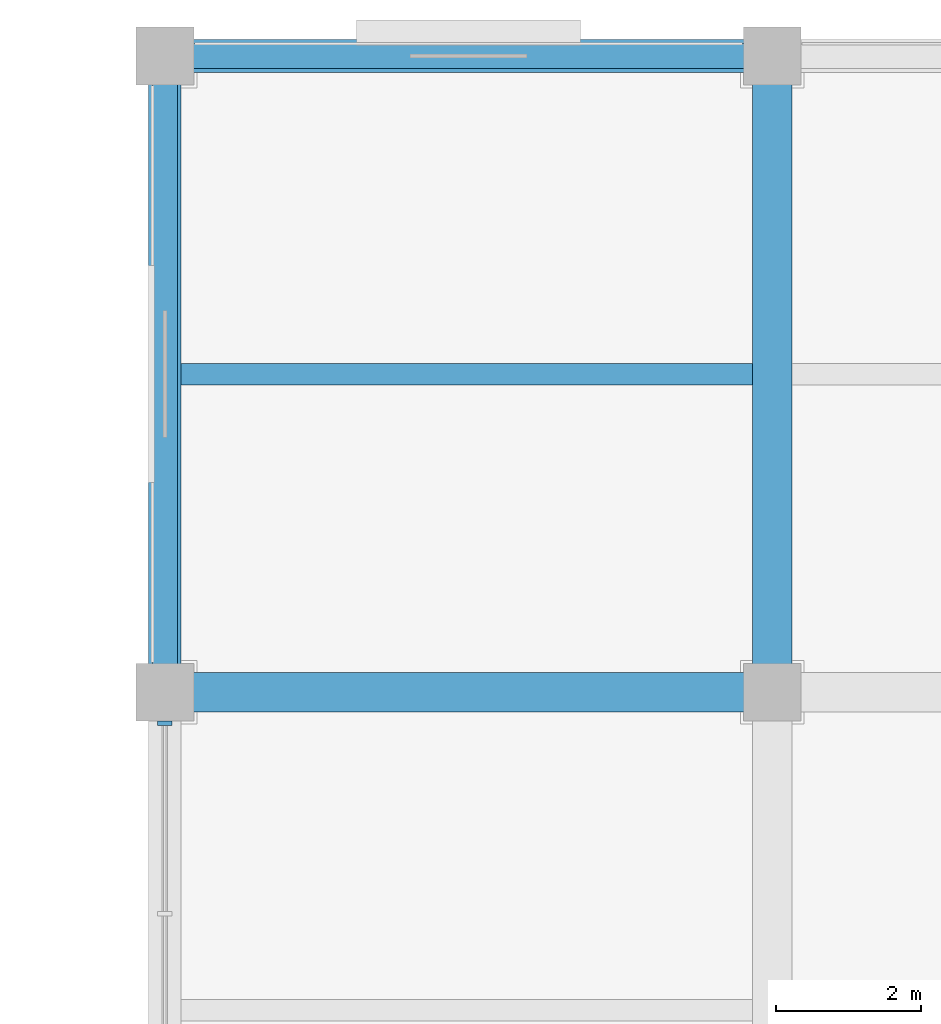
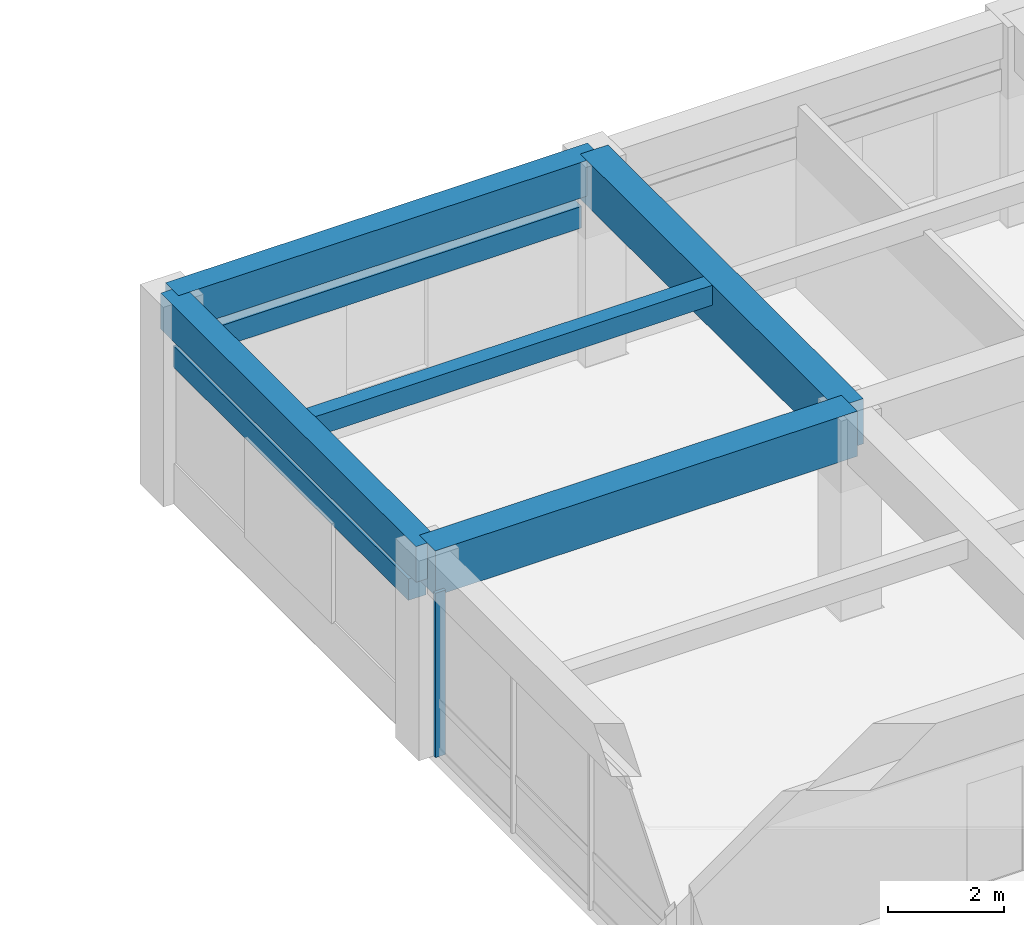
# One storey, part 18 of 46: 7 beams, 1 member, 1 element without a shape of its own.
"""IFC4 building model written with IfcOpenShell, lengths in metres."""

from ifc_helpers import new_model, si_unit, direction, frame, origin, origin_2d, place, context, subcontext, project, spatial, rectangle, extrude, material, material_profile, profile_set, type_object, element, aggregate, save


model = new_model("IFC4")

# Units and contexts
model_context = context("Model", 3, precision=1e-05, world=origin(), true_north=direction((0.0, 1.0)))
body_context = subcontext(model_context, "Body", "Model", "MODEL_VIEW")
ifc_project = project(units=[si_unit("LENGTHUNIT", "METRE"), si_unit("AREAUNIT", "SQUARE_METRE"), si_unit("VOLUMEUNIT", "CUBIC_METRE"), si_unit("PLANEANGLEUNIT", "RADIAN"), si_unit("MASSUNIT", "GRAM", prefix="KILO")], contexts=[model_context])

# Site, building, storey
site_placement = place(None, origin())
site = spatial("IfcSite", under=ifc_project, at=site_placement, CompositionType="ELEMENT")
building_placement = place(site_placement, origin())
building = spatial("IfcBuilding", under=site, at=building_placement, Name="Kemercrest Conservatory and Botanical Centre", CompositionType="ELEMENT")
storey_placement = place(building_placement, frame((0.0, 0.0, 9.0)))
storey = spatial("IfcBuildingStorey", under=building, at=storey_placement, Name="L02", CompositionType="ELEMENT", Elevation=9.0)

# Beams
ifc_material_1 = material(Name="Concrete C50/60", Category="concrete")
ifc_material_profile_1 = material_profile(ifc_material_1, rectangle(XDim=0.550048828125, YDim=0.949951171875, at=origin_2d()), Name="RC 550x950")
ifc_profile_set_1 = profile_set([ifc_material_profile_1], Name="Concrete C50/60")
beam_type_1 = type_object("IfcBeamType", Name="BM-RC95", PredefinedType="BEAM", material=ifc_profile_set_1)
beam_1_placement = place(storey_placement, frame((125.60009765625, 113.60009765625, 3.72509765625), z_axis=(1.0, 0.0, 0.0), x_axis=(0.0, 1.0, 0.0)))
element("IfcBeam", 1, at=beam_1_placement, inside=storey, type_object=beam_type_1, Name="V4-L03 beam BM-RC95 N/15-16", PredefinedType="BEAM", context=body_context, shape_type="SweptSolid", body=[
    extrude(rectangle(XDim=0.550048828125, YDim=0.949951171875, at=origin_2d()), origin(), (0.0, 0.0, 1.0), 8.39990234375),
])
beam_2_placement = place(storey_placement, frame((134.0, 113.60009765625, 3.72509765625), z_axis=(0.0, 1.0, 0.0), x_axis=(-1.0, 0.0, 0.0)))
element("IfcBeam", 2, at=beam_2_placement, inside=storey, type_object=beam_type_1, Name="V4-L03 beam BM-RC95 16/N-P", PredefinedType="BEAM", context=body_context, shape_type="SweptSolid", body=[
    extrude(rectangle(XDim=0.550048828125, YDim=0.949951171875, at=origin_2d()), origin(), (0.0, 0.0, 1.0), 8.7998046875),
])

# Curtain wall, member
ifc_material_2 = material(Name="Thermally broken aluminium and triple low-e glazing", Category="aluminium")
curtain_wall_type = type_object("IfcCurtainWallType", Name="CW-02", PredefinedType="USERDEFINED", material=ifc_material_2)
curtain_wall_placement = place(storey_placement, origin())
curtain_wall = element("IfcCurtainWall", 3, at=curtain_wall_placement, inside=storey, type_object=curtain_wall_type, Name="Unitised curtain wall CW-02 (CW:L02:V4-061)", ObjectType="UNITISED CURTAIN WALL", PredefinedType="USERDEFINED")
ifc_material_3 = material(Name="Thermally broken anodized aluminium 6063-T6", Category="aluminium")
ifc_material_profile_2 = material_profile(ifc_material_3, rectangle(XDim=0.199951171875, YDim=0.06494140625, at=origin_2d()), Name="AL MULLION 65x200")
ifc_profile_set_2 = profile_set([ifc_material_profile_2], Name="Thermally broken anodized aluminium 6063-T6")
member_type = type_object("IfcMemberType", Name="CW-M200", PredefinedType="MULLION", material=ifc_profile_set_2)
member_placement = place(storey_placement, frame((125.60009765625, 113.172607421875, 0.0), z_axis=(0.0, 0.0, 1.0), x_axis=(1.0, 0.0, 0.0)))
member = element("IfcMember", 4, at=member_placement, type_object=member_type, Name="CW-02 mullion 1", PredefinedType="MULLION", context=body_context, shape_type="SweptSolid", body=[
    extrude(rectangle(XDim=0.199951171875, YDim=0.06494140625, at=origin_2d()), origin(), (0.0, 0.0, 1.0), 3.455078125),
])
aggregate(curtain_wall, [member])

# Beams
ifc_material_4 = material(Name="Concrete C40/50", Category="concrete")
ifc_material_profile_3 = material_profile(ifc_material_4, rectangle(XDim=0.300048828125, YDim=0.419921875, at=origin_2d()), Name="RC 300x420")
ifc_profile_set_3 = profile_set([ifc_material_profile_3], Name="Concrete C40/50")
beam_type_2 = type_object("IfcBeamType", Name="JS-RC42", PredefinedType="JOIST", material=ifc_profile_set_3)
beam_3_placement = place(storey_placement, frame((125.824951171875, 118.0, 3.989990234375), z_axis=(1.0, 0.0, 0.0), x_axis=(0.0, 1.0, 0.0)))
element("IfcBeam", 5, at=beam_3_placement, inside=storey, type_object=beam_type_2, Name="V4-L03 secondary joist JS-RC42", PredefinedType="JOIST", context=body_context, shape_type="SweptSolid", body=[
    extrude(rectangle(XDim=0.300048828125, YDim=0.419921875, at=origin_2d()), origin(), (0.0, 0.0, 1.0), 7.900146484375),
])
ifc_material_5 = material(Name="Precast concrete C40/50", Category="concrete")
ifc_material_profile_4 = material_profile(ifc_material_5, rectangle(XDim=0.35009765625, YDim=0.449951171875, at=origin_2d()), Name="RC 350x450")
ifc_profile_set_4 = profile_set([ifc_material_profile_4], Name="Precast concrete C40/50")
beam_type_3 = type_object("IfcBeamType", Name="LN-RC47", PredefinedType="LINTEL", material=ifc_profile_set_4)
beam_4_placement = place(storey_placement, frame((133.64990234375, 122.39990234375, 3.0048828125), z_axis=(-1.0, 0.0, 0.0), x_axis=(0.0, -1.0, 0.0)))
element("IfcBeam", 6, at=beam_4_placement, inside=storey, type_object=beam_type_3, Name="Precast arched window lintel (WIN:L02:EXT-203)", PredefinedType="LINTEL", context=body_context, shape_type="SweptSolid", body=[
    extrude(rectangle(XDim=0.35009765625, YDim=0.449951171875, at=origin_2d()), origin(), (0.0, 0.0, 1.0), 7.699951171875),
])
beam_5_placement = place(storey_placement, frame((125.60009765625, 122.050048828125, 3.06494140625), z_axis=(0.0, -1.0, 0.0), x_axis=(1.0, 0.0, 0.0)))
element("IfcBeam", 7, at=beam_5_placement, inside=storey, type_object=beam_type_3, Name="Precast arched window lintel (WIN:L02:EXT-204)", PredefinedType="LINTEL", context=body_context, shape_type="SweptSolid", body=[
    extrude(rectangle(XDim=0.35009765625, YDim=0.449951171875, at=origin_2d()), origin(), (0.0, 0.0, 1.0), 8.10009765625),
])
ifc_material_profile_5 = material_profile(ifc_material_4, rectangle(XDim=0.449951171875, YDim=0.75, at=origin_2d()), Name="RC 450x750")
ifc_profile_set_5 = profile_set([ifc_material_profile_5], Name="Concrete C40/50")
beam_type_4 = type_object("IfcBeamType", Name="SP-RC75", PredefinedType="SPANDREL", material=ifc_profile_set_5)
beam_6_placement = place(storey_placement, frame((125.60009765625, 122.39990234375, 3.824951171875), z_axis=(1.0, 0.0, 0.0), x_axis=(0.0, 1.0, 0.0)))
element("IfcBeam", 8, at=beam_6_placement, inside=storey, type_object=beam_type_4, Name="V4-L03 beam SP-RC75 P/15-16", PredefinedType="SPANDREL", context=body_context, shape_type="SweptSolid", body=[
    extrude(rectangle(XDim=0.449951171875, YDim=0.75, at=origin_2d()), origin(), (0.0, 0.0, 1.0), 8.39990234375),
])
beam_7_placement = place(storey_placement, frame((125.60009765625, 113.60009765625, 3.824951171875), z_axis=(0.0, 1.0, 0.0), x_axis=(-1.0, 0.0, 0.0)))
element("IfcBeam", 9, at=beam_7_placement, inside=storey, type_object=beam_type_4, Name="V4-L03 beam SP-RC75 15/N-P", PredefinedType="SPANDREL", context=body_context, shape_type="SweptSolid", body=[
    extrude(rectangle(XDim=0.449951171875, YDim=0.75, at=origin_2d()), origin(), (0.0, 0.0, 1.0), 8.7998046875),
])

save(model, "model.ifc")
